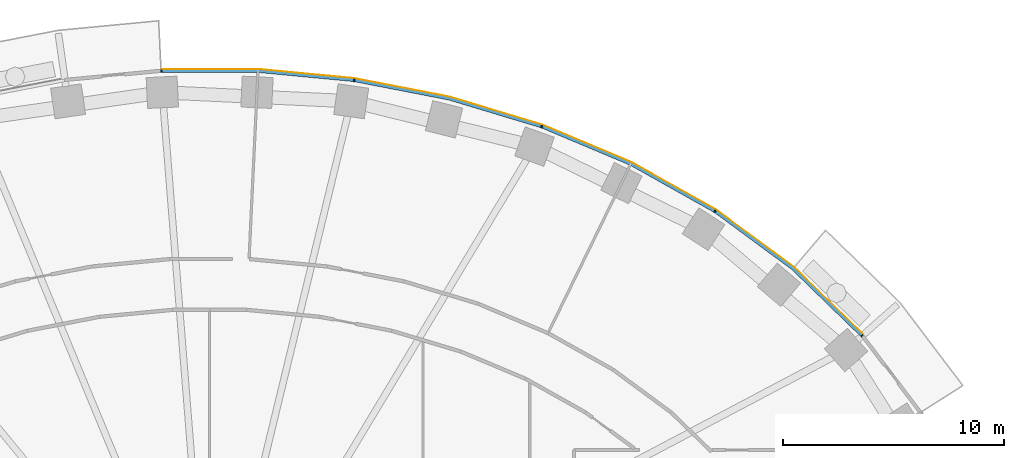
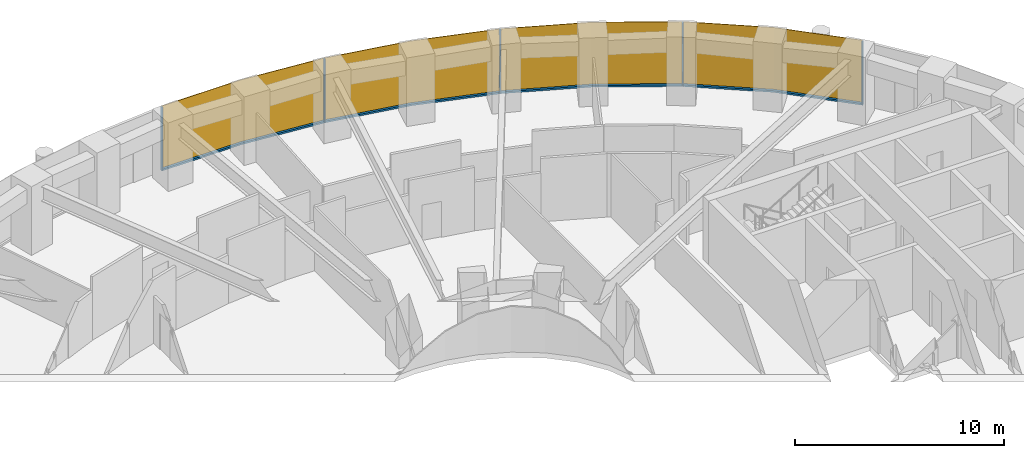
# One storey, part 13 of 16: 9 members, 1 curtain wall.
"""IFC4 building model written with IfcOpenShell, lengths in metres."""

from ifc_helpers import new_model, si_unit, direction, frame, origin, origin_2d, place, context, subcontext, project, spatial, polyline, rectangle, outline, extrude, material, layer, layer_set, material_profile, profile_set, type_object, element, aggregate, save


model = new_model("IFC4")

# Units and contexts
model_context = context("Model", 3, precision=1e-05, world=origin(), true_north=direction((0.0, 1.0)))
body_context = subcontext(model_context, "Body", "Model", "MODEL_VIEW")
ifc_project = project(units=[si_unit("LENGTHUNIT", "METRE"), si_unit("AREAUNIT", "SQUARE_METRE"), si_unit("VOLUMEUNIT", "CUBIC_METRE"), si_unit("PLANEANGLEUNIT", "RADIAN"), si_unit("MASSUNIT", "GRAM", prefix="KILO")], contexts=[model_context])

# Member
ifc_material_1 = material(Name="Aluminium 6063-T6 black anodised", Category="aluminium")
ifc_material_profile = material_profile(ifc_material_1, rectangle(XDim=0.1201171875, YDim=0.06005859375, at=origin_2d()), Name="120x60")
ifc_profile_set = profile_set([ifc_material_profile], Name="Aluminium 6063-T6 black anodised")
member_type_1 = type_object("IfcMemberType", Name="ENV-MULLION-A-120", PredefinedType="MULLION", material=ifc_profile_set)
site_placement = place(None, origin())
building_placement = place(site_placement, origin())
storey_placement = place(building_placement, frame((0.0, 0.0, 78.5)))
member_1_placement = place(storey_placement, frame((29.53857421875, 15.8671875, 0.0), z_axis=(0.0, 0.0, 1.0), x_axis=(-0.749047221705, -0.662516610853, 0.0)))
member_1 = element("IfcMember", 1, at=member_1_placement, type_object=member_type_1, Name="Mullion A radial 05", PredefinedType="MULLION", context=body_context, shape_type="SweptSolid", body=[
    extrude(rectangle(XDim=0.1201171875, YDim=0.06005859375, at=origin_2d()), origin(), (0.0, 0.0, 1.0), 3.699951171875),
])

member_2_placement = place(storey_placement, frame((22.882568359375, 21.506591796875, 0.0), z_axis=(0.0, 0.0, 1.0), x_axis=(-0.542279153225, -0.840198381323, 0.0)))
member_2 = element("IfcMember", 2, at=member_2_placement, type_object=member_type_1, Name="Mullion A radial 07", PredefinedType="MULLION", context=body_context, shape_type="SweptSolid", body=[
    extrude(rectangle(XDim=0.1201171875, YDim=0.06005859375, at=origin_2d()), origin(), (0.0, 0.0, 1.0), 3.699951171875),
])

member_3_placement = place(storey_placement, frame((15.0341796875, 25.34375, 0.0), z_axis=(0.0, 0.0, 1.0), x_axis=(-0.338379256581, -0.941009818608, 0.0)))
member_3 = element("IfcMember", 3, at=member_3_placement, type_object=member_type_1, Name="Mullion A radial 09", PredefinedType="MULLION", context=body_context, shape_type="SweptSolid", body=[
    extrude(rectangle(XDim=0.1201171875, YDim=0.06005859375, at=origin_2d()), origin(), (0.0, 0.0, 1.0), 3.699951171875),
])

member_4_placement = place(storey_placement, frame((6.54638671875, 27.440185546875, 0.0), z_axis=(0.0, 0.0, 1.0), x_axis=(-0.143082012705, -0.989710835366, 0.0)))
member_4 = element("IfcMember", 4, at=member_4_placement, type_object=member_type_1, Name="Mullion A radial 11", PredefinedType="MULLION", context=body_context, shape_type="SweptSolid", body=[
    extrude(rectangle(XDim=0.1201171875, YDim=0.06005859375, at=origin_2d()), origin(), (0.0, 0.0, 1.0), 3.699951171875),
])

member_5_placement = place(storey_placement, frame((-2.188720703125, 27.856201171875, 0.0), z_axis=(0.0, 0.0, 1.0), x_axis=(0.047557873581, -0.998868484166, 0.0)))
member_5 = element("IfcMember", 5, at=member_5_placement, type_object=member_type_1, Name="Mullion A radial 13", PredefinedType="MULLION", context=body_context, shape_type="SweptSolid", body=[
    extrude(rectangle(XDim=0.1201171875, YDim=0.06005859375, at=origin_2d()), origin(), (0.0, 0.0, 1.0), 3.699951171875),
])

ifc_material_2 = material(Name="Aluminium 6063-T6 black anodised", Category="aluminium")
member_type_2 = type_object("IfcMemberType", Name="ENV-TRANSOM-A", PredefinedType="USERDEFINED", material=ifc_material_2)
member_6_placement = place(storey_placement, origin())
member_6 = element("IfcMember", 6, at=member_6_placement, type_object=member_type_2, Name="Transom A radial 05-07", ObjectType="TRANSOM", PredefinedType="USERDEFINED", context=body_context, shape_type="SweptSolid", body=[
    extrude(outline(polyline([(29.5634765625, 15.926513671875), (26.4423828125, 18.958740234375), (22.937744140625, 21.540283203125), (22.87255859375, 21.439208984375), (26.364501953125, 18.866943359375), (29.473388671875, 15.8466796875), (29.5634765625, 15.926513671875)])), origin(), (0.0, 0.0, 1.0), 0.10009765625),
])

member_7_placement = place(storey_placement, origin())
member_7 = element("IfcMember", 7, at=member_7_placement, type_object=member_type_2, Name="Transom A radial 07-09", ObjectType="TRANSOM", PredefinedType="USERDEFINED", context=body_context, shape_type="SweptSolid", body=[
    extrude(outline(polyline([(22.890625, 21.570556640625), (19.093994140625, 23.701416015625), (15.080322265625, 25.389404296875), (15.03955078125, 25.276123046875), (19.041259765625, 23.593505859375), (22.825439453125, 21.469482421875), (22.890625, 21.570556640625)])), origin(), (0.0, 0.0, 1.0), 0.10009765625),
])

member_8_placement = place(storey_placement, origin())
member_8 = element("IfcMember", 8, at=member_8_placement, type_object=member_type_2, Name="Transom A radial 09-11", ObjectType="TRANSOM", PredefinedType="USERDEFINED", context=body_context, shape_type="SweptSolid", body=[
    extrude(outline(polyline([(15.027587890625, 25.408203125), (10.857666015625, 26.6630859375), (6.58251953125, 27.494140625), (6.5654296875, 27.375244140625), (10.828857421875, 26.54638671875), (14.987060546875, 25.295166015625), (15.027587890625, 25.408203125)])), origin(), (0.0, 0.0, 1.0), 0.10009765625),
])

member_9_placement = place(storey_placement, origin())
member_9 = element("IfcMember", 9, at=member_9_placement, type_object=member_type_2, Name="Transom A radial 11-13", ObjectType="TRANSOM", PredefinedType="USERDEFINED", context=body_context, shape_type="SweptSolid", body=[
    extrude(outline(polyline([(6.527099609375, 27.502197265625), (2.191650390625, 27.916015625), (-2.163818359375, 27.916015625), (-2.157958984375, 27.7958984375), (2.185791015625, 27.7958984375), (6.510009765625, 27.38330078125), (6.527099609375, 27.502197265625)])), origin(), (0.0, 0.0, 1.0), 0.10009765625),
])

# Site, building, storey
site = spatial("IfcSite", under=ifc_project, at=site_placement, CompositionType="ELEMENT")
building = spatial("IfcBuilding", under=site, at=building_placement, Name="Noorbagh Ring Tower", CompositionType="ELEMENT")
storey = spatial("IfcBuildingStorey", under=building, at=storey_placement, Name="L17", CompositionType="ELEMENT", Elevation=78.5)

# Curtain wall
ifc_material_3 = material(Name="Glass dark tinted laminated", Category="glass")
ifc_layer = layer(ifc_material_3, 0.031982421875)
ifc_layer_set = layer_set([ifc_layer], Name="Glass dark tinted laminated")
curtain_wall_type = type_object("IfcCurtainWallType", Name="ENV-CW-A", PredefinedType="NOTDEFINED", material=ifc_layer_set)
curtain_wall_placement = place(storey_placement, origin())
curtain_wall = element("IfcCurtainWall", 10, at=curtain_wall_placement, inside=storey, type_object=curtain_wall_type, Name="Curtain wall A R05", PredefinedType="NOTDEFINED", context=body_context, shape_type="SweptSolid", body=[
    extrude(outline(polyline([(29.59326171875, 15.942138671875), (26.463134765625, 18.9833984375), (22.9326171875, 21.583740234375), (19.108154296875, 23.730224609375), (15.065185546875, 25.430419921875), (10.865234375, 26.6943359375), (6.559814453125, 27.53125), (2.193115234375, 27.947998046875), (-2.173095703125, 27.947998046875), (-2.171630859375, 27.916015625), (2.191650390625, 27.916015625), (6.55517578125, 27.49951171875), (10.857666015625, 26.6630859375), (15.054443359375, 25.400146484375), (19.093994140625, 23.701416015625), (22.9150390625, 21.556884765625), (26.4423828125, 18.958740234375), (29.569091796875, 15.9208984375), (29.59326171875, 15.942138671875)])), origin(), (0.0, 0.0, 1.0), 3.699951171875),
])

aggregate(curtain_wall, [member_1, member_2, member_3, member_4, member_5, member_6, member_7, member_8, member_9])

save(model, "model.ifc")
